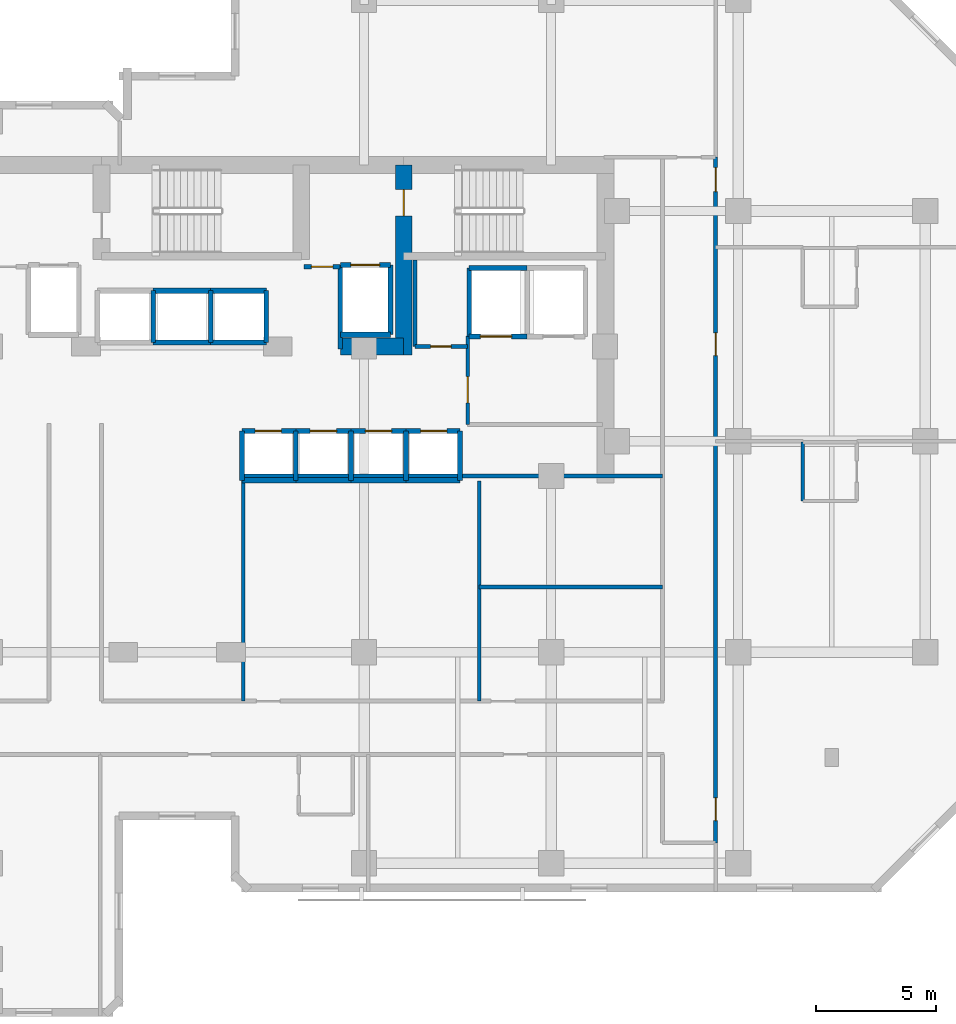
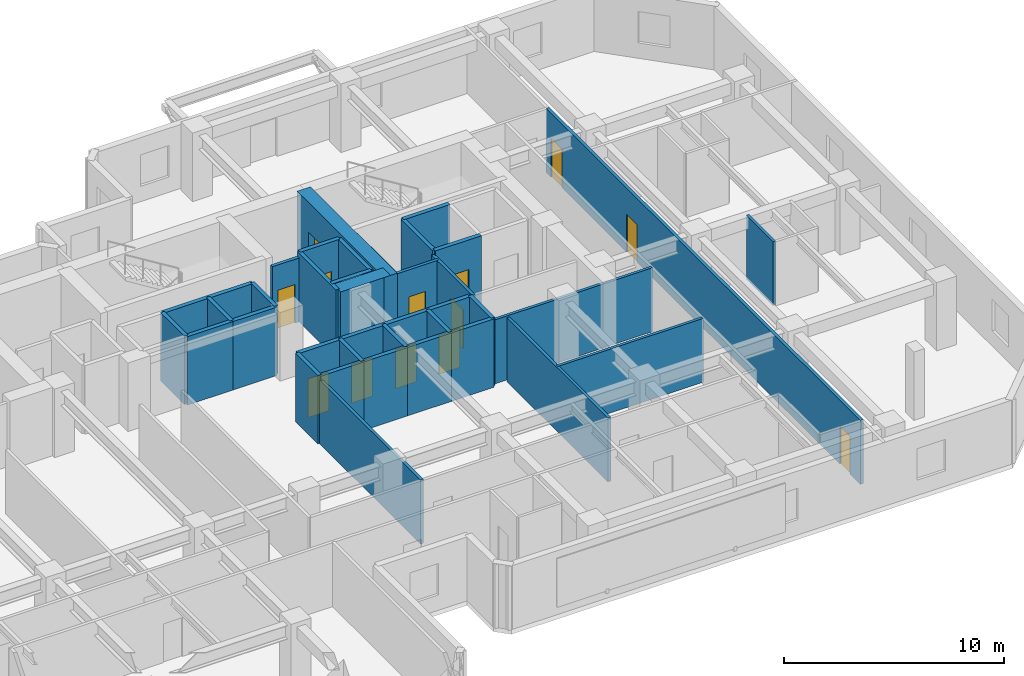
# One storey, part 6 of 10: 39 walls, 13 doors, 13 openings.
"""IFC4 building model written with IfcOpenShell, lengths in metres."""

from ifc_helpers import new_model, si_unit, direction, frame, frame_2d, origin, place, context, subcontext, project, spatial, rectangle, extrude, material, layer, layer_set, type_object, element, fill, save


model = new_model("IFC4")

# Units and contexts
model_context = context("Model", 3, precision=1e-05, world=origin(), true_north=direction((0.0, 1.0)))
body_context = subcontext(model_context, "Body", "Model", "MODEL_VIEW")
ifc_project = project(units=[si_unit("LENGTHUNIT", "METRE"), si_unit("AREAUNIT", "SQUARE_METRE"), si_unit("VOLUMEUNIT", "CUBIC_METRE"), si_unit("PLANEANGLEUNIT", "RADIAN"), si_unit("MASSUNIT", "GRAM", prefix="KILO")], contexts=[model_context])

# Site, building, storey
site_placement = place(None, origin())
site = spatial("IfcSite", under=ifc_project, at=site_placement, CompositionType="ELEMENT")
building_placement = place(site_placement, origin())
building = spatial("IfcBuilding", under=site, at=building_placement, Name="Kestravale Grand Hotel", CompositionType="ELEMENT")
storey_placement = place(building_placement, frame((0.0, 0.0, 149.800048828125)))
storey = spatial("IfcBuildingStorey", under=building, at=storey_placement, Name="L37", CompositionType="ELEMENT", Elevation=149.800048828125)

# Wall
ifc_material_1 = material(Name="Concrete f'c 60 MPa", Category="concrete")
ifc_layer_1 = layer(ifc_material_1, 0.699951171875)
ifc_layer_set_1 = layer_set([ifc_layer_1], Name="EW-CORE-700")
wall_type_1 = type_object("IfcWallType", Name="EW-CORE-700", PredefinedType="SHEAR", material=ifc_layer_set_1)
wall_1_placement = place(storey_placement, frame((45.81005859375, 32.75, 0.0), z_axis=(0.0, 0.0, 1.0), x_axis=(1.0, 0.0, 0.0)))
element("IfcWall", 1, at=wall_1_placement, inside=storey, type_object=wall_type_1, Name="L37 core shear wall S2", PredefinedType="SHEAR", context=body_context, shape_type="SweptSolid", body=[
    extrude(rectangle(XDim=2.639892578125, YDim=0.699951171875, at=frame_2d((1.31982421875, 0.0))), origin(), (0.0, 0.0, 1.0), 3.800048828125),
])

# Wall, opening, door
wall_2_placement = place(storey_placement, frame((48.449951171875, 32.39990234375, 0.0), z_axis=(0.0, 0.0, 1.0), x_axis=(0.0, 1.0, 0.0)))
wall_2 = element("IfcWall", 2, at=wall_2_placement, inside=storey, type_object=wall_type_1, Name="L37 core shear wall X4", PredefinedType="SHEAR", context=body_context, shape_type="SweptSolid", body=[
    extrude(rectangle(XDim=7.920166015625, YDim=0.699951171875, at=frame_2d((3.9599609375, 0.0))), origin(), (0.0, 0.0, 1.0), 3.800048828125),
])
opening_1_placement = place(wall_2_placement, frame((5.800048828125, 0.0, 0.0)))
opening_1 = element("IfcOpeningElement", 3, at=opening_1_placement, cuts=wall_2, Name="Opening D-ST-1100", PredefinedType="OPENING", context=body_context, shape_type="SweptSolid", body=[
    extrude(rectangle(XDim=1.10009765625, YDim=2.14990234375, at=frame_2d((0.550048828125, 1.074951171875))), frame((0.0, 0.35986328125, 0.0), z_axis=(0.0, -1.0, 0.0), x_axis=(1.0, 0.0, 0.0)), (0.0, 0.0, 1.0), 0.719970703125),
])
ifc_material_2 = material(Name="Galvanised 90-minute fire-rated steel stair door", Category="steel")
door_type_1 = type_object("IfcDoorType", Name="D-ST-1100", OperationType="NOTDEFINED", PredefinedType="DOOR", material=ifc_material_2)
door_1_placement = place(opening_1_placement, origin())
door_1 = element("IfcDoor", 4, at=door_1_placement, inside=storey, type_object=door_type_1, Name="L37 Stair ST-3 FSAE fire door", OperationType="SINGLE_SWING_RIGHT", OverallHeight=2.14990234375, OverallWidth=1.10009765625, PredefinedType="DOOR", context=body_context, shape_type="SweptSolid", body=[
    extrude(rectangle(XDim=1.10009765625, YDim=2.14990234375, at=frame_2d((0.550048828125, 1.074951171875))), frame((0.0, 0.02490234375, 0.0), z_axis=(0.0, -1.0, 0.0), x_axis=(1.0, 0.0, 0.0)), (0.0, 0.0, 1.0), 0.050048828125),
])
fill(opening_1, door_1)

ifc_material_3 = material(Name="Acoustic fire-rated gypsum board partition", Category="other")
ifc_layer_2 = layer(ifc_material_3, 0.159912109375)
ifc_layer_set_2 = layer_set([ifc_layer_2], Name="IW-CORR-160")
wall_type_2 = type_object("IfcWallType", Name="IW-CORR-160", PredefinedType="PARTITIONING", material=ifc_layer_set_2)
wall_3_placement = place(storey_placement, frame((51.1201171875, 29.5, 0.0), z_axis=(0.0, 0.0, 1.0), x_axis=(0.0, 1.0, 0.0)))
wall_3 = element("IfcWall", 5, at=wall_3_placement, inside=storey, type_object=wall_type_2, Name="W-L37-SVCLOB-W", PredefinedType="PARTITIONING", context=body_context, shape_type="SweptSolid", body=[
    extrude(rectangle(XDim=3.699951171875, YDim=0.159912109375, at=frame_2d((1.85009765625, 0.0))), origin(), (0.0, 0.0, 1.0), 3.550048828125),
])
opening_2_placement = place(wall_3_placement, frame((0.89990234375, 0.0, 0.0)))
opening_2 = element("IfcOpeningElement", 6, at=opening_2_placement, cuts=wall_3, Name="Opening D-CORR-1100", PredefinedType="OPENING", context=body_context, shape_type="SweptSolid", body=[
    extrude(rectangle(XDim=1.10009765625, YDim=2.14990234375, at=frame_2d((0.550048828125, 1.074951171875))), frame((0.0, 0.08984375, 0.0), z_axis=(0.0, -1.0, 0.0), x_axis=(1.0, 0.0, 0.0)), (0.0, 0.0, 1.0), 0.179931640625),
])
ifc_material_4 = material(Name="Single-leaf service vestibule fire door", Category="steel")
door_type_2 = type_object("IfcDoorType", Name="D-CORR-1100", OperationType="NOTDEFINED", PredefinedType="DOOR", material=ifc_material_4)
door_2_placement = place(opening_2_placement, origin())
door_2 = element("IfcDoor", 7, at=door_2_placement, inside=storey, type_object=door_type_2, Name="L37 service lift lobby door", OperationType="SINGLE_SWING_LEFT", OverallHeight=2.14990234375, OverallWidth=1.10009765625, PredefinedType="DOOR", context=body_context, shape_type="SweptSolid", body=[
    extrude(rectangle(XDim=1.10009765625, YDim=2.14990234375, at=frame_2d((0.550048828125, 1.074951171875))), frame((0.0, 0.02490234375, 0.0), z_axis=(0.0, -1.0, 0.0), x_axis=(1.0, 0.0, 0.0)), (0.0, 0.0, 1.0), 0.050048828125),
])
fill(opening_2, door_2)

wall_4_placement = place(storey_placement, frame((48.919921875, 32.75, 0.0), z_axis=(0.0, 0.0, 1.0), x_axis=(1.0, 0.0, 0.0)))
wall_4 = element("IfcWall", 8, at=wall_4_placement, inside=storey, type_object=wall_type_2, Name="W-L37-CES", PredefinedType="PARTITIONING", context=body_context, shape_type="SweptSolid", body=[
    extrude(rectangle(XDim=2.2001953125, YDim=0.159912109375, at=frame_2d((1.10009765625, 0.0))), origin(), (0.0, 0.0, 1.0), 3.550048828125),
])
opening_3_placement = place(wall_4_placement, frame((0.64990234375, 0.0, 0.0)))
opening_3 = element("IfcOpeningElement", 9, at=opening_3_placement, cuts=wall_4, Name="Opening D-SH-860", PredefinedType="OPENING", context=body_context, shape_type="SweptSolid", body=[
    extrude(rectangle(XDim=0.860107421875, YDim=2.050048828125, at=frame_2d((0.43017578125, 1.02490234375))), frame((0.0, 0.08984375, 0.0), z_axis=(0.0, -1.0, 0.0), x_axis=(1.0, 0.0, 0.0)), (0.0, 0.0, 1.0), 0.179931640625),
])
ifc_material_5 = material(Name="Galvanised 90-minute riser fire door", Category="steel")
door_type_3 = type_object("IfcDoorType", Name="D-SH-860", OperationType="NOTDEFINED", PredefinedType="DOOR", material=ifc_material_5)
door_3_placement = place(opening_3_placement, origin())
door_3 = element("IfcDoor", 10, at=door_3_placement, inside=storey, type_object=door_type_3, Name="L37 CSTO1 door", OperationType="SINGLE_SWING_RIGHT", OverallHeight=2.050048828125, OverallWidth=0.860107421875, PredefinedType="DOOR", context=body_context, shape_type="SweptSolid", body=[
    extrude(rectangle(XDim=0.860107421875, YDim=2.050048828125, at=frame_2d((0.43017578125, 1.02490234375))), frame((0.0, 0.02490234375, 0.0), z_axis=(0.0, -1.0, 0.0), x_axis=(1.0, 0.0, 0.0)), (0.0, 0.0, 1.0), 0.050048828125),
])
fill(opening_3, door_3)

# Wall, openings, doors
wall_5_placement = place(storey_placement, frame((61.4599609375, 12.050048828125, 0.0), z_axis=(0.0, 0.0, 1.0), x_axis=(0.0, 1.0, 0.0)))
wall_5 = element("IfcWall", 11, at=wall_5_placement, inside=storey, type_object=wall_type_2, Name="W-L37-SE-E", PredefinedType="PARTITIONING", context=body_context, shape_type="SweptSolid", body=[
    extrude(rectangle(XDim=28.599853515625, YDim=0.159912109375, at=frame_2d((14.2998046875, 0.0))), origin(), (0.0, 0.0, 1.0), 3.550048828125),
])
opening_4_placement = place(wall_5_placement, frame((0.925048828125, 0.0, 0.0)))
opening_4 = element("IfcOpeningElement", 12, at=opening_4_placement, cuts=wall_5, Name="Opening D-GUEST-950", PredefinedType="OPENING", context=body_context, shape_type="SweptSolid", body=[
    extrude(rectangle(XDim=0.949951171875, YDim=2.10009765625, at=frame_2d((0.47509765625, 1.050048828125))), frame((0.0, 0.08984375, 0.0), z_axis=(0.0, -1.0, 0.0), x_axis=(1.0, 0.0, 0.0)), (0.0, 0.0, 1.0), 0.179931640625),
])
opening_5_placement = place(wall_5_placement, frame((20.324951171875, 0.0, 0.0)))
opening_5 = element("IfcOpeningElement", 13, at=opening_5_placement, cuts=wall_5, Name="Opening D-GUEST-950", PredefinedType="OPENING", context=body_context, shape_type="SweptSolid", body=[
    extrude(rectangle(XDim=0.949951171875, YDim=2.10009765625, at=frame_2d((0.47509765625, 1.050048828125))), frame((0.0, 0.08984375, 0.0), z_axis=(0.0, -1.0, 0.0), x_axis=(1.0, 0.0, 0.0)), (0.0, 0.0, 1.0), 0.179931640625),
])
opening_6_placement = place(wall_5_placement, frame((27.159912109375, 0.0, 0.0)))
opening_6 = element("IfcOpeningElement", 14, at=opening_6_placement, cuts=wall_5, Name="Opening D-GUEST-1000", PredefinedType="OPENING", context=body_context, shape_type="SweptSolid", body=[
    extrude(rectangle(XDim=1.0, YDim=2.14990234375, at=frame_2d((0.5, 1.074951171875))), frame((0.0, 0.08984375, 0.0), z_axis=(0.0, -1.0, 0.0), x_axis=(1.0, 0.0, 0.0)), (0.0, 0.0, 1.0), 0.179931640625),
])
ifc_material_6 = material(Name="Accessible walnut veneer hotel entrance fire door", Category="wood")
door_type_4 = type_object("IfcDoorType", Name="D-GUEST-1000", OperationType="NOTDEFINED", PredefinedType="DOOR", material=ifc_material_6)
door_4_placement = place(opening_6_placement, origin())
door_4 = element("IfcDoor", 15, at=door_4_placement, inside=storey, type_object=door_type_4, Name="D-L37-AMEW", OperationType="SINGLE_SWING_RIGHT", OverallHeight=2.14990234375, OverallWidth=1.0, PredefinedType="DOOR", context=body_context, shape_type="SweptSolid", body=[
    extrude(rectangle(XDim=1.0, YDim=2.14990234375, at=frame_2d((0.5, 1.074951171875))), frame((0.0, 0.02490234375, 0.0), z_axis=(0.0, -1.0, 0.0), x_axis=(1.0, 0.0, 0.0)), (0.0, 0.0, 1.0), 0.050048828125),
])
fill(opening_6, door_4)
ifc_material_7 = material(Name="Walnut veneer hotel guestroom entrance fire door", Category="wood")
door_type_5 = type_object("IfcDoorType", Name="D-GUEST-950", OperationType="NOTDEFINED", PredefinedType="DOOR", material=ifc_material_7)
door_5_placement = place(opening_4_placement, origin())
door_5 = element("IfcDoor", 16, at=door_5_placement, inside=storey, type_object=door_type_5, Name="D-L37-U06-ENT", OperationType="SINGLE_SWING_LEFT", OverallHeight=2.10009765625, OverallWidth=0.949951171875, PredefinedType="DOOR", context=body_context, shape_type="SweptSolid", body=[
    extrude(rectangle(XDim=0.949951171875, YDim=2.10009765625, at=frame_2d((0.47509765625, 1.050048828125))), frame((0.0, 0.02490234375, 0.0), z_axis=(0.0, -1.0, 0.0), x_axis=(1.0, 0.0, 0.0)), (0.0, 0.0, 1.0), 0.050048828125),
])
fill(opening_4, door_5)
door_6_placement = place(opening_5_placement, origin())
door_6 = element("IfcDoor", 17, at=door_6_placement, inside=storey, type_object=door_type_5, Name="D-L37-U07-ENT", OperationType="SINGLE_SWING_LEFT", OverallHeight=2.10009765625, OverallWidth=0.949951171875, PredefinedType="DOOR", context=body_context, shape_type="SweptSolid", body=[
    extrude(rectangle(XDim=0.949951171875, YDim=2.10009765625, at=frame_2d((0.47509765625, 1.050048828125))), frame((0.0, 0.02490234375, 0.0), z_axis=(0.0, -1.0, 0.0), x_axis=(1.0, 0.0, 0.0)), (0.0, 0.0, 1.0), 0.050048828125),
])
fill(opening_5, door_6)

# Wall, opening, door
ifc_material_8 = material(Name="Fire-rated gypsum board on steel studs with mineral wool", Category="steel")
ifc_layer_3 = layer(ifc_material_8, 0.179931640625)
ifc_layer_set_3 = layer_set([ifc_layer_3], Name="IW-FSAE-180")
wall_type_3 = type_object("IfcWallType", Name="IW-FSAE-180", PredefinedType="PARTITIONING", material=ifc_layer_set_3)
wall_6_placement = place(storey_placement, frame((44.300048828125, 36.080078125, 0.0), z_axis=(0.0, 0.0, 1.0), x_axis=(1.0, 0.0, 0.0)))
wall_6 = element("IfcWall", 18, at=wall_6_placement, inside=storey, type_object=wall_type_3, Name="L37 FSAE Lobby 2 smoke barrier", PredefinedType="PARTITIONING", context=body_context, shape_type="SweptSolid", body=[
    extrude(rectangle(XDim=1.5, YDim=0.179931640625, at=frame_2d((0.75, 0.0))), origin(), (0.0, 0.0, 1.0), 3.550048828125),
])
opening_7_placement = place(wall_6_placement, frame((0.300048828125, 0.0, 0.0)))
opening_7 = element("IfcOpeningElement", 19, at=opening_7_placement, cuts=wall_6, Name="Opening D-FSAE-1000", PredefinedType="OPENING", context=body_context, shape_type="SweptSolid", body=[
    extrude(rectangle(XDim=0.89990234375, YDim=2.14990234375, at=frame_2d((0.449951171875, 1.074951171875))), frame((0.0, 0.099853515625, 0.0), z_axis=(0.0, -1.0, 0.0), x_axis=(1.0, 0.0, 0.0)), (0.0, 0.0, 1.0), 0.199951171875),
])
ifc_material_9 = material(Name="Smoke-gasketed FSAE lobby fire door", Category="steel")
door_type_6 = type_object("IfcDoorType", Name="D-FSAE-1000", OperationType="NOTDEFINED", PredefinedType="DOOR", material=ifc_material_9)
door_7_placement = place(opening_7_placement, origin())
door_7 = element("IfcDoor", 20, at=door_7_placement, inside=storey, type_object=door_type_6, Name="L37 FSAE Lobby 2 fire door", OperationType="SINGLE_SWING_LEFT", OverallHeight=2.14990234375, OverallWidth=0.89990234375, PredefinedType="DOOR", context=body_context, shape_type="SweptSolid", body=[
    extrude(rectangle(XDim=0.89990234375, YDim=2.14990234375, at=frame_2d((0.449951171875, 1.074951171875))), frame((0.0, 0.02490234375, 0.0), z_axis=(0.0, -1.0, 0.0), x_axis=(1.0, 0.0, 0.0)), (0.0, 0.0, 1.0), 0.050048828125),
])
fill(opening_7, door_7)

# Walls
ifc_material_10 = material(Name="Moisture-resistant tile-backer plumbing chase wall", Category="other")
ifc_layer_4 = layer(ifc_material_10, 0.139892578125)
ifc_layer_set_4 = layer_set([ifc_layer_4], Name="IW-PLB-140")
wall_type_4 = type_object("IfcWallType", Name="IW-PLB-140", PredefinedType="PLUMBINGWALL", material=ifc_layer_set_4)
wall_7_placement = place(storey_placement, frame((65.10009765625, 26.31005859375, 0.0), z_axis=(0.0, 0.0, 1.0), x_axis=(0.0, 1.0, 0.0)))
element("IfcWall", 21, at=wall_7_placement, inside=storey, type_object=wall_type_4, Name="W-L37-U06-BW", PredefinedType="PLUMBINGWALL", context=body_context, shape_type="SweptSolid", body=[
    extrude(rectangle(XDim=2.449951171875, YDim=0.139892578125, at=frame_2d((1.22509765625, 0.0))), origin(), (0.0, 0.0, 1.0), 3.550048828125),
])
ifc_material_11 = material(Name="Concrete f'c 45 MPa", Category="concrete")
ifc_layer_5 = layer(ifc_material_11, 0.199951171875)
ifc_layer_set_5 = layer_set([ifc_layer_5], Name="IW-SHAFT-200")
wall_type_5 = type_object("IfcWallType", Name="IW-SHAFT-200", PredefinedType="SHEAR", material=ifc_layer_set_5)
for number, where, z_axis, x_axis, name in (
    (22, (41.705078125, 27.169921875, 0.0), (0.0, 0.0, 1.0), (0.0, 1.0, 0.0), "L37 PL-M1 west shaft wall"),
    (23, (43.949951171875, 27.169921875, 0.0), (0.0, 0.0, 1.0), (0.0, 1.0, 0.0), "L37 PL-M2 west shaft wall"),
    (24, (46.25, 27.169921875, 0.0), (0.0, 0.0, 1.0), (0.0, 1.0, 0.0), "L37 PL-M3 west shaft wall"),
    (25, (48.550048828125, 27.169921875, 0.0), (0.0, 0.0, 1.0), (0.0, 1.0, 0.0), "L37 PL-M4 west shaft wall"),
    (26, (50.794921875, 27.169921875, 0.0), (0.0, 0.0, 1.0), (0.0, 1.0, 0.0), "L37 PL-M4 east shaft wall"),
):
    element("IfcWall", number, at=place(storey_placement, frame(where, z_axis=z_axis, x_axis=x_axis)), inside=storey, type_object=wall_type_5, Name=name, PredefinedType="SHEAR", context=body_context, shape_type="SweptSolid", body=[
        extrude(rectangle(XDim=2.06005859375, YDim=0.199951171875, at=frame_2d((1.030029296875, 0.0))), origin(), (0.0, 0.0, 1.0), 3.800048828125),
    ])
for number, where, z_axis, x_axis, name in (
    (27, (38.0, 32.919921875, 0.0), (0.0, 0.0, 1.0), (0.0, 1.0, 0.0), "L37 PL-X2 west shaft wall"),
    (28, (40.39990234375, 32.919921875, 0.0), (0.0, 0.0, 1.0), (0.0, 1.0, 0.0), "L37 PL-X3 west shaft wall"),
    (29, (42.719970703125, 32.919921875, 0.0), (0.0, 0.0, 1.0), (0.0, 1.0, 0.0), "L37 PL-X3 east shaft wall"),
):
    element("IfcWall", number, at=place(storey_placement, frame(where, z_axis=z_axis, x_axis=x_axis)), inside=storey, type_object=wall_type_5, Name=name, PredefinedType="SHEAR", context=body_context, shape_type="SweptSolid", body=[
        extrude(rectangle(XDim=2.16015625, YDim=0.199951171875, at=frame_2d((1.080078125, 0.0))), origin(), (0.0, 0.0, 1.0), 3.800048828125),
    ])
wall_8_placement = place(storey_placement, frame((51.179931640625, 33.169921875, 0.0), z_axis=(0.0, 0.0, 1.0), x_axis=(0.0, 1.0, 0.0)))
element("IfcWall", 30, at=wall_8_placement, inside=storey, type_object=wall_type_5, Name="L37 SL-1 west shaft wall", PredefinedType="SHEAR", context=body_context, shape_type="SweptSolid", body=[
    extrude(rectangle(XDim=2.860107421875, YDim=0.199951171875, at=frame_2d((1.43017578125, 0.0))), origin(), (0.0, 0.0, 1.0), 3.800048828125),
])
wall_9_placement = place(storey_placement, frame((45.804931640625, 32.64990234375, 0.0), z_axis=(0.0, 0.0, 1.0), x_axis=(0.0, 1.0, 0.0)))
element("IfcWall", 31, at=wall_9_placement, inside=storey, type_object=wall_type_5, Name="L37 FL-2 west shaft wall", PredefinedType="SHEAR", context=body_context, shape_type="SweptSolid", body=[
    extrude(rectangle(XDim=3.505126953125, YDim=0.199951171875, at=frame_2d((1.75244140625, 0.0))), origin(), (0.0, 0.0, 1.0), 3.800048828125),
])
wall_10_placement = place(storey_placement, frame((47.89501953125, 33.2451171875, 0.0), z_axis=(0.0, 0.0, 1.0), x_axis=(0.0, 1.0, 0.0)))
element("IfcWall", 32, at=wall_10_placement, inside=storey, type_object=wall_type_5, Name="L37 FL-2 east shaft wall", PredefinedType="SHEAR", context=body_context, shape_type="SweptSolid", body=[
    extrude(rectangle(XDim=2.909912109375, YDim=0.199951171875, at=frame_2d((1.455078125, 0.0))), origin(), (0.0, 0.0, 1.0), 3.800048828125),
])

# Wall, opening, door
ifc_material_12 = material(Name="Concrete f'c 45 MPa", Category="concrete")
ifc_layer_6 = layer(ifc_material_12, 0.219970703125)
ifc_layer_set_6 = layer_set([ifc_layer_6], Name="IW-SHAFT-220")
wall_type_6 = type_object("IfcWallType", Name="IW-SHAFT-220", PredefinedType="SHEAR", material=ifc_layer_set_6)
wall_11_placement = place(storey_placement, frame((41.705078125, 29.22998046875, 0.0), z_axis=(0.0, 0.0, 1.0), x_axis=(1.0, 0.0, 0.0)))
wall_11 = element("IfcWall", 33, at=wall_11_placement, inside=storey, type_object=wall_type_6, Name="L37 PL-M1 north shaft wall", PredefinedType="SHEAR", context=body_context, shape_type="SweptSolid", body=[
    extrude(rectangle(XDim=2.244873046875, YDim=0.219970703125, at=frame_2d((1.12255859375, 0.0))), origin(), (0.0, 0.0, 1.0), 3.800048828125),
])
opening_8_placement = place(wall_11_placement, frame((0.544921875, 0.0, 0.0)))
opening_8 = element("IfcOpeningElement", 34, at=opening_8_placement, cuts=wall_11, Name="Opening LD-PAX-1100", PredefinedType="OPENING", context=body_context, shape_type="SweptSolid", body=[
    extrude(rectangle(XDim=1.10009765625, YDim=2.14990234375, at=frame_2d((0.550048828125, 1.074951171875))), frame((0.0, 0.119873046875, 0.0), z_axis=(0.0, -1.0, 0.0), x_axis=(1.0, 0.0, 0.0)), (0.0, 0.0, 1.0), 0.239990234375),
])
ifc_material_13 = material(Name="Champagne-bronze center-opening sliding elevator landing door", Category="steel")
door_type_7 = type_object("IfcDoorType", Name="LD-PAX-1100", OperationType="NOTDEFINED", PredefinedType="DOOR", material=ifc_material_13)
door_8_placement = place(opening_8_placement, origin())
door_8 = element("IfcDoor", 35, at=door_8_placement, inside=storey, type_object=door_type_7, Name="L37 PL-M1 elevator landing sliding door", OperationType="DOUBLE_DOOR_SLIDING", OverallHeight=2.14990234375, OverallWidth=1.10009765625, PredefinedType="DOOR", context=body_context, shape_type="SweptSolid", body=[
    extrude(rectangle(XDim=1.10009765625, YDim=2.14990234375, at=frame_2d((0.550048828125, 1.074951171875))), frame((0.0, 0.02490234375, 0.0), z_axis=(0.0, -1.0, 0.0), x_axis=(1.0, 0.0, 0.0)), (0.0, 0.0, 1.0), 0.050048828125),
])
fill(opening_8, door_8)

# Wall
wall_12_placement = place(storey_placement, frame((41.705078125, 27.169921875, 0.0), z_axis=(0.0, 0.0, 1.0), x_axis=(1.0, 0.0, 0.0)))
element("IfcWall", 36, at=wall_12_placement, inside=storey, type_object=wall_type_6, Name="L37 PL-M1 south shaft wall", PredefinedType="SHEAR", context=body_context, shape_type="SweptSolid", body=[
    extrude(rectangle(XDim=2.244873046875, YDim=0.219970703125, at=frame_2d((1.12255859375, 0.0))), origin(), (0.0, 0.0, 1.0), 3.800048828125),
])

# Wall, opening, door
wall_13_placement = place(storey_placement, frame((43.949951171875, 29.22998046875, 0.0), z_axis=(0.0, 0.0, 1.0), x_axis=(1.0, 0.0, 0.0)))
wall_13 = element("IfcWall", 37, at=wall_13_placement, inside=storey, type_object=wall_type_6, Name="L37 PL-M2 north shaft wall", PredefinedType="SHEAR", context=body_context, shape_type="SweptSolid", body=[
    extrude(rectangle(XDim=2.300048828125, YDim=0.219970703125, at=frame_2d((1.14990234375, 0.0))), origin(), (0.0, 0.0, 1.0), 3.800048828125),
])
opening_9_placement = place(wall_13_placement, frame((0.60009765625, 0.0, 0.0)))
opening_9 = element("IfcOpeningElement", 38, at=opening_9_placement, cuts=wall_13, Name="Opening LD-PAX-1100", PredefinedType="OPENING", context=body_context, shape_type="SweptSolid", body=[
    extrude(rectangle(XDim=1.10009765625, YDim=2.14990234375, at=frame_2d((0.550048828125, 1.074951171875))), frame((0.0, 0.119873046875, 0.0), z_axis=(0.0, -1.0, 0.0), x_axis=(1.0, 0.0, 0.0)), (0.0, 0.0, 1.0), 0.239990234375),
])
door_9_placement = place(opening_9_placement, origin())
door_9 = element("IfcDoor", 39, at=door_9_placement, inside=storey, type_object=door_type_7, Name="L37 PL-M2 elevator landing sliding door", OperationType="DOUBLE_DOOR_SLIDING", OverallHeight=2.14990234375, OverallWidth=1.10009765625, PredefinedType="DOOR", context=body_context, shape_type="SweptSolid", body=[
    extrude(rectangle(XDim=1.10009765625, YDim=2.14990234375, at=frame_2d((0.550048828125, 1.074951171875))), frame((0.0, 0.02490234375, 0.0), z_axis=(0.0, -1.0, 0.0), x_axis=(1.0, 0.0, 0.0)), (0.0, 0.0, 1.0), 0.050048828125),
])
fill(opening_9, door_9)

# Wall
wall_14_placement = place(storey_placement, frame((43.949951171875, 27.169921875, 0.0), z_axis=(0.0, 0.0, 1.0), x_axis=(1.0, 0.0, 0.0)))
element("IfcWall", 40, at=wall_14_placement, inside=storey, type_object=wall_type_6, Name="L37 PL-M2 south shaft wall", PredefinedType="SHEAR", context=body_context, shape_type="SweptSolid", body=[
    extrude(rectangle(XDim=2.300048828125, YDim=0.219970703125, at=frame_2d((1.14990234375, 0.0))), origin(), (0.0, 0.0, 1.0), 3.800048828125),
])

# Wall, opening, door
wall_15_placement = place(storey_placement, frame((46.25, 29.22998046875, 0.0), z_axis=(0.0, 0.0, 1.0), x_axis=(1.0, 0.0, 0.0)))
wall_15 = element("IfcWall", 41, at=wall_15_placement, inside=storey, type_object=wall_type_6, Name="L37 PL-M3 north shaft wall", PredefinedType="SHEAR", context=body_context, shape_type="SweptSolid", body=[
    extrude(rectangle(XDim=2.300048828125, YDim=0.219970703125, at=frame_2d((1.14990234375, 0.0))), origin(), (0.0, 0.0, 1.0), 3.800048828125),
])
opening_10_placement = place(wall_15_placement, frame((0.60009765625, 0.0, 0.0)))
opening_10 = element("IfcOpeningElement", 42, at=opening_10_placement, cuts=wall_15, Name="Opening LD-PAX-1100", PredefinedType="OPENING", context=body_context, shape_type="SweptSolid", body=[
    extrude(rectangle(XDim=1.10009765625, YDim=2.14990234375, at=frame_2d((0.550048828125, 1.074951171875))), frame((0.0, 0.119873046875, 0.0), z_axis=(0.0, -1.0, 0.0), x_axis=(1.0, 0.0, 0.0)), (0.0, 0.0, 1.0), 0.239990234375),
])
door_10_placement = place(opening_10_placement, origin())
door_10 = element("IfcDoor", 43, at=door_10_placement, inside=storey, type_object=door_type_7, Name="L37 PL-M3 elevator landing sliding door", OperationType="DOUBLE_DOOR_SLIDING", OverallHeight=2.14990234375, OverallWidth=1.10009765625, PredefinedType="DOOR", context=body_context, shape_type="SweptSolid", body=[
    extrude(rectangle(XDim=1.10009765625, YDim=2.14990234375, at=frame_2d((0.550048828125, 1.074951171875))), frame((0.0, 0.02490234375, 0.0), z_axis=(0.0, -1.0, 0.0), x_axis=(1.0, 0.0, 0.0)), (0.0, 0.0, 1.0), 0.050048828125),
])
fill(opening_10, door_10)

# Wall
wall_16_placement = place(storey_placement, frame((46.25, 27.169921875, 0.0), z_axis=(0.0, 0.0, 1.0), x_axis=(1.0, 0.0, 0.0)))
element("IfcWall", 44, at=wall_16_placement, inside=storey, type_object=wall_type_6, Name="L37 PL-M3 south shaft wall", PredefinedType="SHEAR", context=body_context, shape_type="SweptSolid", body=[
    extrude(rectangle(XDim=2.300048828125, YDim=0.219970703125, at=frame_2d((1.14990234375, 0.0))), origin(), (0.0, 0.0, 1.0), 3.800048828125),
])

# Wall, opening, door
wall_17_placement = place(storey_placement, frame((48.550048828125, 29.22998046875, 0.0), z_axis=(0.0, 0.0, 1.0), x_axis=(1.0, 0.0, 0.0)))
wall_17 = element("IfcWall", 45, at=wall_17_placement, inside=storey, type_object=wall_type_6, Name="L37 PL-M4 north shaft wall", PredefinedType="SHEAR", context=body_context, shape_type="SweptSolid", body=[
    extrude(rectangle(XDim=2.244873046875, YDim=0.219970703125, at=frame_2d((1.12255859375, 0.0))), origin(), (0.0, 0.0, 1.0), 3.800048828125),
])
opening_11_placement = place(wall_17_placement, frame((0.60009765625, 0.0, 0.0)))
opening_11 = element("IfcOpeningElement", 46, at=opening_11_placement, cuts=wall_17, Name="Opening LD-PAX-1100", PredefinedType="OPENING", context=body_context, shape_type="SweptSolid", body=[
    extrude(rectangle(XDim=1.10009765625, YDim=2.14990234375, at=frame_2d((0.550048828125, 1.074951171875))), frame((0.0, 0.119873046875, 0.0), z_axis=(0.0, -1.0, 0.0), x_axis=(1.0, 0.0, 0.0)), (0.0, 0.0, 1.0), 0.239990234375),
])
door_11_placement = place(opening_11_placement, origin())
door_11 = element("IfcDoor", 47, at=door_11_placement, inside=storey, type_object=door_type_7, Name="L37 PL-M4 elevator landing sliding door", OperationType="DOUBLE_DOOR_SLIDING", OverallHeight=2.14990234375, OverallWidth=1.10009765625, PredefinedType="DOOR", context=body_context, shape_type="SweptSolid", body=[
    extrude(rectangle(XDim=1.10009765625, YDim=2.14990234375, at=frame_2d((0.550048828125, 1.074951171875))), frame((0.0, 0.02490234375, 0.0), z_axis=(0.0, -1.0, 0.0), x_axis=(1.0, 0.0, 0.0)), (0.0, 0.0, 1.0), 0.050048828125),
])
fill(opening_11, door_11)

# Walls
wall_18_placement = place(storey_placement, frame((48.550048828125, 27.169921875, 0.0), z_axis=(0.0, 0.0, 1.0), x_axis=(1.0, 0.0, 0.0)))
element("IfcWall", 48, at=wall_18_placement, inside=storey, type_object=wall_type_6, Name="L37 PL-M4 south shaft wall", PredefinedType="SHEAR", context=body_context, shape_type="SweptSolid", body=[
    extrude(rectangle(XDim=2.244873046875, YDim=0.219970703125, at=frame_2d((1.12255859375, 0.0))), origin(), (0.0, 0.0, 1.0), 3.800048828125),
])
for number, where, z_axis, x_axis, name in (
    (49, (38.0, 35.080078125, 0.0), (0.0, 0.0, 1.0), (1.0, 0.0, 0.0), "L37 PL-X2 north shaft wall"),
    (50, (38.0, 32.919921875, 0.0), (0.0, 0.0, 1.0), (1.0, 0.0, 0.0), "L37 PL-X2 south shaft wall"),
):
    element("IfcWall", number, at=place(storey_placement, frame(where, z_axis=z_axis, x_axis=x_axis)), inside=storey, type_object=wall_type_6, Name=name, PredefinedType="SHEAR", context=body_context, shape_type="SweptSolid", body=[
        extrude(rectangle(XDim=2.39990234375, YDim=0.219970703125, at=frame_2d((1.199951171875, 0.0))), origin(), (0.0, 0.0, 1.0), 3.800048828125),
    ])
for number, where, z_axis, x_axis, name in (
    (51, (40.39990234375, 35.080078125, 0.0), (0.0, 0.0, 1.0), (1.0, 0.0, 0.0), "L37 PL-X3 north shaft wall"),
    (52, (40.39990234375, 32.919921875, 0.0), (0.0, 0.0, 1.0), (1.0, 0.0, 0.0), "L37 PL-X3 south shaft wall"),
):
    element("IfcWall", number, at=place(storey_placement, frame(where, z_axis=z_axis, x_axis=x_axis)), inside=storey, type_object=wall_type_6, Name=name, PredefinedType="SHEAR", context=body_context, shape_type="SweptSolid", body=[
        extrude(rectangle(XDim=2.320068359375, YDim=0.219970703125, at=frame_2d((1.16015625, 0.0))), origin(), (0.0, 0.0, 1.0), 3.800048828125),
    ])
wall_19_placement = place(storey_placement, frame((51.179931640625, 36.030029296875, 0.0), z_axis=(0.0, 0.0, 1.0), x_axis=(1.0, 0.0, 0.0)))
element("IfcWall", 53, at=wall_19_placement, inside=storey, type_object=wall_type_6, Name="L37 SL-1 north shaft wall", PredefinedType="SHEAR", context=body_context, shape_type="SweptSolid", body=[
    extrude(rectangle(XDim=2.420166015625, YDim=0.219970703125, at=frame_2d((1.2099609375, 0.0))), origin(), (0.0, 0.0, 1.0), 3.800048828125),
])

# Wall, opening, door
wall_20_placement = place(storey_placement, frame((51.179931640625, 33.169921875, 0.0), z_axis=(0.0, 0.0, 1.0), x_axis=(1.0, 0.0, 0.0)))
wall_20 = element("IfcWall", 54, at=wall_20_placement, inside=storey, type_object=wall_type_6, Name="L37 SL-1 south shaft wall", PredefinedType="SHEAR", context=body_context, shape_type="SweptSolid", body=[
    extrude(rectangle(XDim=2.420166015625, YDim=0.219970703125, at=frame_2d((1.2099609375, 0.0))), origin(), (0.0, 0.0, 1.0), 3.800048828125),
])
opening_12_placement = place(wall_20_placement, frame((0.469970703125, 0.0, 0.0)))
opening_12 = element("IfcOpeningElement", 55, at=opening_12_placement, cuts=wall_20, Name="Opening LD-SVC-1300", PredefinedType="OPENING", context=body_context, shape_type="SweptSolid", body=[
    extrude(rectangle(XDim=1.300048828125, YDim=2.14990234375, at=frame_2d((0.64990234375, 1.074951171875))), frame((0.0, 0.119873046875, 0.0), z_axis=(0.0, -1.0, 0.0), x_axis=(1.0, 0.0, 0.0)), (0.0, 0.0, 1.0), 0.239990234375),
])
ifc_material_14 = material(Name="Heavy-duty service sliding elevator landing door", Category="steel")
door_type_8 = type_object("IfcDoorType", Name="LD-SVC-1300", OperationType="NOTDEFINED", PredefinedType="DOOR", material=ifc_material_14)
door_12_placement = place(opening_12_placement, origin())
door_12 = element("IfcDoor", 56, at=door_12_placement, inside=storey, type_object=door_type_8, Name="L37 SL-1 elevator landing sliding door", OperationType="DOUBLE_DOOR_SLIDING", OverallHeight=2.14990234375, OverallWidth=1.300048828125, PredefinedType="DOOR", context=body_context, shape_type="SweptSolid", body=[
    extrude(rectangle(XDim=1.300048828125, YDim=2.14990234375, at=frame_2d((0.64990234375, 1.074951171875))), frame((0.0, 0.02490234375, 0.0), z_axis=(0.0, -1.0, 0.0), x_axis=(1.0, 0.0, 0.0)), (0.0, 0.0, 1.0), 0.050048828125),
])
fill(opening_12, door_12)

wall_21_placement = place(storey_placement, frame((45.804931640625, 36.155029296875, 0.0), z_axis=(0.0, 0.0, 1.0), x_axis=(1.0, 0.0, 0.0)))
wall_21 = element("IfcWall", 57, at=wall_21_placement, inside=storey, type_object=wall_type_6, Name="L37 FL-2 north shaft wall", PredefinedType="SHEAR", context=body_context, shape_type="SweptSolid", body=[
    extrude(rectangle(XDim=2.090087890625, YDim=0.219970703125, at=frame_2d((1.044921875, 0.0))), origin(), (0.0, 0.0, 1.0), 3.800048828125),
])
opening_13_placement = place(wall_21_placement, frame((0.445068359375, 0.0, 0.0)))
opening_13 = element("IfcOpeningElement", 58, at=opening_13_placement, cuts=wall_21, Name="Opening LD-FSAE-1200", PredefinedType="OPENING", context=body_context, shape_type="SweptSolid", body=[
    extrude(rectangle(XDim=1.199951171875, YDim=2.14990234375, at=frame_2d((0.60009765625, 1.074951171875))), frame((0.0, 0.119873046875, 0.0), z_axis=(0.0, -1.0, 0.0), x_axis=(1.0, 0.0, 0.0)), (0.0, 0.0, 1.0), 0.239990234375),
])
ifc_material_15 = material(Name="Stainless fire-service sliding elevator landing door", Category="steel")
door_type_9 = type_object("IfcDoorType", Name="LD-FSAE-1200", OperationType="NOTDEFINED", PredefinedType="DOOR", material=ifc_material_15)
door_13_placement = place(opening_13_placement, origin())
door_13 = element("IfcDoor", 59, at=door_13_placement, inside=storey, type_object=door_type_9, Name="L37 FL-2 elevator landing sliding door", OperationType="DOUBLE_DOOR_SLIDING", OverallHeight=2.14990234375, OverallWidth=1.199951171875, PredefinedType="DOOR", context=body_context, shape_type="SweptSolid", body=[
    extrude(rectangle(XDim=1.199951171875, YDim=2.14990234375, at=frame_2d((0.60009765625, 1.074951171875))), frame((0.0, 0.02490234375, 0.0), z_axis=(0.0, -1.0, 0.0), x_axis=(1.0, 0.0, 0.0)), (0.0, 0.0, 1.0), 0.050048828125),
])
fill(opening_13, door_13)

# Walls
wall_22_placement = place(storey_placement, frame((45.804931640625, 33.2451171875, 0.0), z_axis=(0.0, 0.0, 1.0), x_axis=(1.0, 0.0, 0.0)))
element("IfcWall", 60, at=wall_22_placement, inside=storey, type_object=wall_type_6, Name="L37 FL-2 south shaft wall", PredefinedType="SHEAR", context=body_context, shape_type="SweptSolid", body=[
    extrude(rectangle(XDim=2.090087890625, YDim=0.219970703125, at=frame_2d((1.044921875, 0.0))), origin(), (0.0, 0.0, 1.0), 3.800048828125),
])
ifc_material_16 = material(Name="Double-stud STC 52 acoustic demising partition", Category="other")
ifc_layer_7 = layer(ifc_material_16, 0.14990234375)
ifc_layer_set_7 = layer_set([ifc_layer_7], Name="IW-UNIT-150")
wall_type_7 = type_object("IfcWallType", Name="IW-UNIT-150", PredefinedType="PARTITIONING", material=ifc_layer_set_7)
wall_23_placement = place(storey_placement, frame((48.919921875, 32.75, 0.0), z_axis=(0.0, 0.0, 1.0), x_axis=(0.0, 1.0, 0.0)))
element("IfcWall", 61, at=wall_23_placement, inside=storey, type_object=wall_type_7, Name="W-L37-CEW", PredefinedType="PARTITIONING", context=body_context, shape_type="SweptSolid", body=[
    extrude(rectangle(XDim=3.6201171875, YDim=0.14990234375, at=frame_2d((1.81005859375, 0.0))), origin(), (0.0, 0.0, 1.0), 3.550048828125),
])
wall_24_placement = place(storey_placement, frame((41.75, 17.9599609375, 0.0), z_axis=(0.0, 0.0, 1.0), x_axis=(0.0, 1.0, 0.0)))
element("IfcWall", 62, at=wall_24_placement, inside=storey, type_object=wall_type_7, Name="W-L37-RCLE-W", PredefinedType="PARTITIONING", context=body_context, shape_type="SweptSolid", body=[
    extrude(rectangle(XDim=9.2099609375, YDim=0.14990234375, at=frame_2d((4.60498046875, 0.0))), origin(), (0.0, 0.0, 1.0), 3.550048828125),
])
wall_25_placement = place(storey_placement, frame((51.60009765625, 17.9599609375, 0.0), z_axis=(0.0, 0.0, 1.0), x_axis=(0.0, 1.0, 0.0)))
element("IfcWall", 63, at=wall_25_placement, inside=storey, type_object=wall_type_7, Name="W-L37-RCLE-M", PredefinedType="PARTITIONING", context=body_context, shape_type="SweptSolid", body=[
    extrude(rectangle(XDim=9.18994140625, YDim=0.14990234375, at=frame_2d((4.594970703125, 0.0))), origin(), (0.0, 0.0, 1.0), 3.550048828125),
])
wall_26_placement = place(storey_placement, frame((41.75, 27.35009765625, 0.0), z_axis=(0.0, 0.0, 1.0), x_axis=(1.0, 0.0, 0.0)))
element("IfcWall", 64, at=wall_26_placement, inside=storey, type_object=wall_type_7, Name="W-L37-RCLE-N", PredefinedType="PARTITIONING", context=body_context, shape_type="SweptSolid", body=[
    extrude(rectangle(XDim=17.489990234375, YDim=0.14990234375, at=frame_2d((8.7451171875, 0.0))), origin(), (0.0, 0.0, 1.0), 3.550048828125),
])
wall_27_placement = place(storey_placement, frame((51.60009765625, 22.719970703125, 0.0), z_axis=(0.0, 0.0, 1.0), x_axis=(1.0, 0.0, 0.0)))
element("IfcWall", 65, at=wall_27_placement, inside=storey, type_object=wall_type_7, Name="W-L37-RCLE-H", PredefinedType="PARTITIONING", context=body_context, shape_type="SweptSolid", body=[
    extrude(rectangle(XDim=7.639892578125, YDim=0.14990234375, at=frame_2d((3.81982421875, 0.0))), origin(), (0.0, 0.0, 1.0), 3.550048828125),
])

save(model, "model.ifc")
